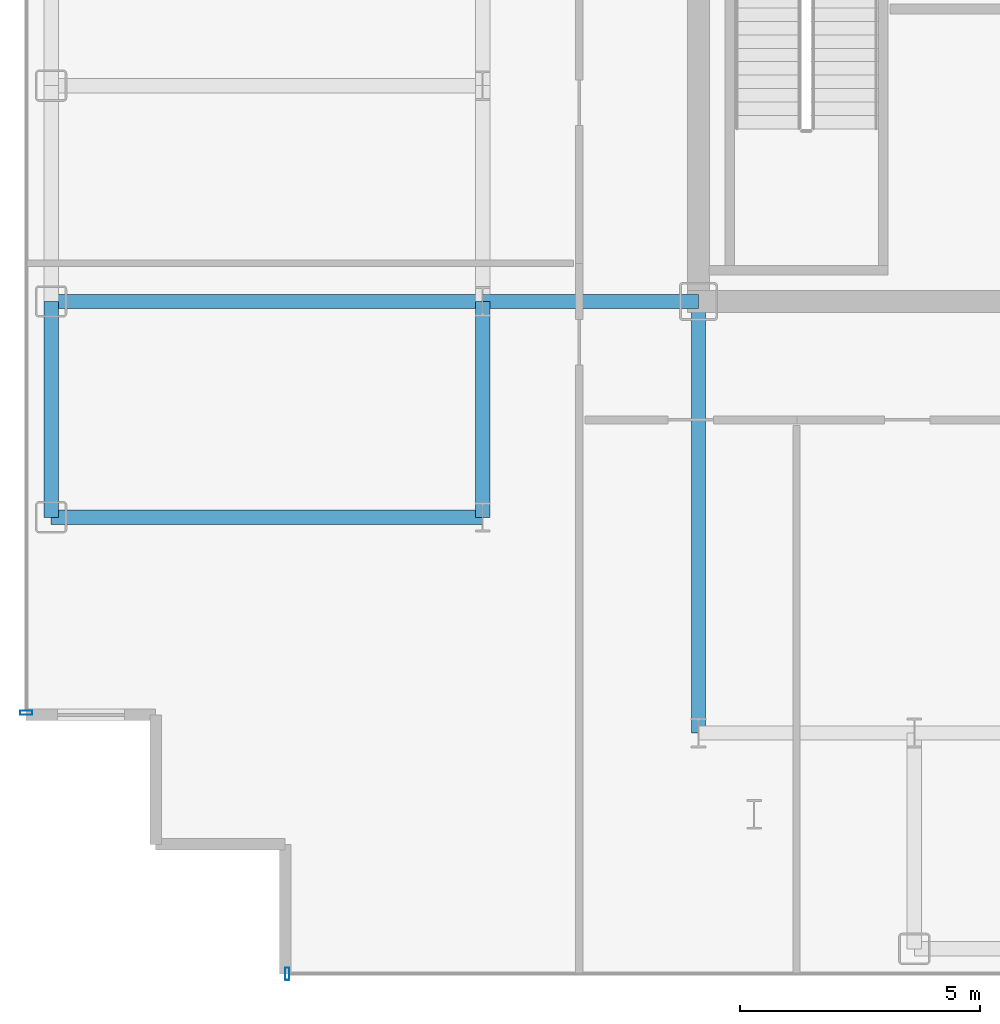
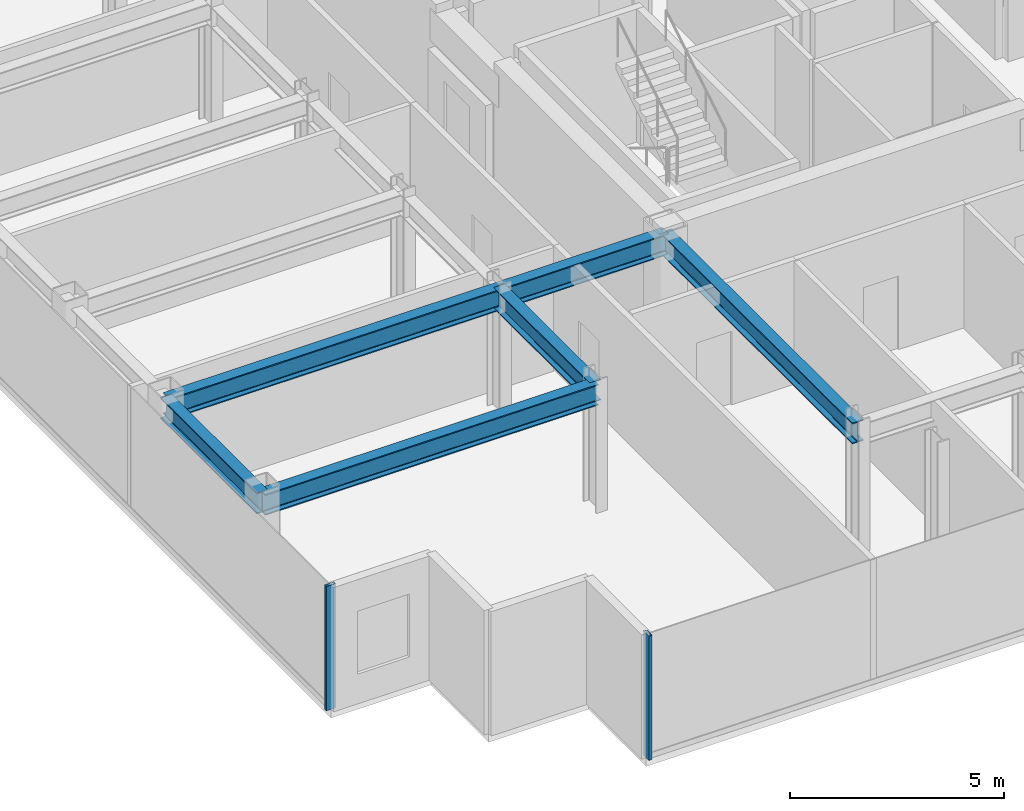
# One storey, part 2 of 18: 6 beams, 2 members, 2 elements without a shape of their own.
"""IFC4 building model written with IfcOpenShell, lengths in metres."""

from ifc_helpers import new_model, si_unit, direction, frame, origin, origin_2d, place, context, subcontext, project, spatial, hollow_rectangle, i_section, extrude, source, transform, mapped, material, layer, layer_set, material_profile, profile_set, type_object, element, aggregate, save


model = new_model("IFC4")

# Units and contexts
model_context = context("Model", 3, precision=1e-05, world=origin(), true_north=direction((0.0, 1.0)))
body_context = subcontext(model_context, "Body", "Model", "MODEL_VIEW")
ifc_project = project(units=[si_unit("LENGTHUNIT", "METRE"), si_unit("AREAUNIT", "SQUARE_METRE"), si_unit("VOLUMEUNIT", "CUBIC_METRE"), si_unit("PLANEANGLEUNIT", "RADIAN"), si_unit("MASSUNIT", "GRAM", prefix="KILO")], contexts=[model_context])

# Site, building, storey
site_placement = place(None, origin())
site = spatial("IfcSite", under=ifc_project, at=site_placement, CompositionType="ELEMENT")
building_placement = place(site_placement, origin())
building = spatial("IfcBuilding", under=site, at=building_placement, Name="Nefas-Gora Pilgrimage Tower", CompositionType="ELEMENT")
storey_placement = place(building_placement, frame((0.0, 0.0, 268.39990234375)))
storey = spatial("IfcBuildingStorey", under=building, at=storey_placement, Name="L67", CompositionType="ELEMENT", Elevation=268.39990234375)

# Beams
ifc_material_1 = material(Name="Steel S355", Category="steel")
ifc_material_profile_1 = material_profile(ifc_material_1, i_section(OverallWidth=0.300048828125, OverallDepth=0.60009765625, WebThickness=0.015380859375, FlangeThickness=0.030029296875, FilletRadius=0.027099609375, at=origin_2d()), Name="HEB 600")
ifc_profile_set_1 = profile_set([ifc_material_profile_1], Name="Steel S355")
beam_type_1 = type_object("IfcBeamType", Name="BM-SPN-HEB450", PredefinedType="SPANDREL", material=ifc_profile_set_1)
shared_shape_1 = source(origin(), body_context, "Body", "SweptSolid", [
    extrude(i_section(OverallWidth=0.300048828125, OverallDepth=0.60009765625, WebThickness=0.015380859375, FlangeThickness=0.030029296875, FilletRadius=0.027099609375, at=origin_2d()), origin(), (0.0, 0.0, 1.0), 4.5),
])
beam_placement = place(storey_placement, frame((-24.75, -13.5, 3.25), z_axis=(0.0, 1.0, 0.0), x_axis=(-1.0, 0.0, 0.0)))
element("IfcBeam", 1, at=beam_placement, inside=storey, type_object=beam_type_1, Name="L67 SP-03 beam", PredefinedType="SPANDREL", context=body_context, shape_type="MappedRepresentation", body=[
    mapped(shared_shape_1, transform((0.0, 0.0, 0.0), x_axis=(1.0, 0.0, 0.0), y_axis=(0.0, 1.0, 0.0), z_axis=(0.0, 0.0, 1.0), scale=1.0)),
])
ifc_material_profile_2 = material_profile(ifc_material_1, i_section(OverallWidth=0.300048828125, OverallDepth=0.60009765625, WebThickness=0.015380859375, FlangeThickness=0.030029296875, FilletRadius=0.027099609375, at=origin_2d()), Name="HEB 600")
ifc_profile_set_2 = profile_set([ifc_material_profile_2], Name="Steel S355")
beam_type_2 = type_object("IfcBeamType", Name="BM-GIR-HEB600", PredefinedType="BEAM", material=ifc_profile_set_2)
shared_shape_2 = source(origin(), body_context, "Body", "SweptSolid", [
    extrude(i_section(OverallWidth=0.300048828125, OverallDepth=0.60009765625, WebThickness=0.015380859375, FlangeThickness=0.030029296875, FilletRadius=0.027099609375, at=origin_2d()), origin(), (0.0, 0.0, 1.0), 9.0),
])
for number, where, z_axis, x_axis, name in (
    (2, (-24.75, -13.5, 3.25), (1.0, 0.0, 0.0), (0.0, 1.0, 0.0), "L67 G-04 beam"),
    (3, (-24.75, -9.0, 3.25), (1.0, 0.0, 0.0), (0.0, 1.0, 0.0), "L67 G-04 beam"),
    (4, (-11.25, -18.0, 3.25), (0.0, 1.0, 0.0), (-1.0, 0.0, 0.0), "L67 G-04 beam"),
):
    element("IfcBeam", number, at=place(storey_placement, frame(where, z_axis=z_axis, x_axis=x_axis)), inside=storey, type_object=beam_type_2, Name=name, PredefinedType="BEAM", context=body_context, shape_type="MappedRepresentation", body=[
        mapped(shared_shape_2, transform((0.0, 0.0, 0.0), x_axis=(1.0, 0.0, 0.0), y_axis=(0.0, 1.0, 0.0), z_axis=(0.0, 0.0, 1.0), scale=1.0)),
    ])
shared_shape_3 = source(origin(), body_context, "Body", "SweptSolid", [
    extrude(i_section(OverallWidth=0.300048828125, OverallDepth=0.60009765625, WebThickness=0.015380859375, FlangeThickness=0.030029296875, FilletRadius=0.027099609375, at=origin_2d()), origin(), (0.0, 0.0, 1.0), 4.5),
])
for number, where, z_axis, x_axis, name in (
    (5, (-15.75, -13.5, 3.25), (0.0, 1.0, 0.0), (-1.0, 0.0, 0.0), "L67 G-04 beam"),
    (6, (-15.75, -9.0, 3.25), (1.0, 0.0, 0.0), (0.0, 1.0, 0.0), "L67 G-04 beam"),
):
    element("IfcBeam", number, at=place(storey_placement, frame(where, z_axis=z_axis, x_axis=x_axis)), inside=storey, type_object=beam_type_2, Name=name, PredefinedType="BEAM", context=body_context, shape_type="MappedRepresentation", body=[
        mapped(shared_shape_3, transform((0.0, 0.0, 0.0), x_axis=(1.0, 0.0, 0.0), y_axis=(0.0, 1.0, 0.0), z_axis=(0.0, 0.0, 1.0), scale=1.0)),
    ])

# Curtain wall, member
ifc_material_2 = material(Name="Dark ceramic-fritted solar-control aluminium-glass curtain wall", Category="aluminium")
ifc_layer = layer(ifc_material_2, 0.219970703125)
ifc_layer_set = layer_set([ifc_layer], Name="Dark ceramic-fritted solar-control aluminium-glass curtain wall")
curtain_wall_type = type_object("IfcCurtainWallType", Name="CW-SYS-4", PredefinedType="NOTDEFINED", material=ifc_layer_set)
curtain_wall_1_placement = place(storey_placement, origin())
curtain_wall_1 = element("IfcCurtainWall", 7, at=curtain_wall_1_placement, inside=storey, type_object=curtain_wall_type, Name="L67 Unitised Curtain Wall CW4", PredefinedType="NOTDEFINED")
ifc_material_3 = material(Name="Anodised architectural aluminium", Category="aluminium")
ifc_material_profile_3 = material_profile(ifc_material_3, hollow_rectangle(XDim=0.090087890625, YDim=0.260009765625, WallThickness=0.006103515625, InnerFilletRadius=0.006103515625, OuterFilletRadius=0.011962890625, at=origin_2d()), Name="ALU MULLION 90x260")
ifc_profile_set_3 = profile_set([ifc_material_profile_3], Name="Anodised architectural aluminium")
member_type = type_object("IfcMemberType", Name="CWM-MUL-4", PredefinedType="MULLION", material=ifc_profile_set_3)
shared_shape_4 = source(origin(), body_context, "Body", "SweptSolid", [
    extrude(hollow_rectangle(XDim=0.090087890625, YDim=0.260009765625, WallThickness=0.006103515625, InnerFilletRadius=0.006103515625, OuterFilletRadius=0.011962890625, at=origin_2d()), origin(), (0.0, 0.0, 1.0), 3.550048828125),
])
member_1_placement = place(storey_placement, frame((-25.27001953125, -17.574951171875, 0.0), z_axis=(0.0, 0.0, 1.0), x_axis=(0.0, -1.0, 0.0)))
member_1 = element("IfcMember", 8, at=member_1_placement, type_object=member_type, Name="CW4 Mullion 3", PredefinedType="MULLION", context=body_context, shape_type="MappedRepresentation", body=[
    mapped(shared_shape_4, transform((0.0, 0.0, 0.0), x_axis=(1.0, 0.0, 0.0), y_axis=(0.0, 1.0, 0.0), z_axis=(0.0, 0.0, 1.0), scale=1.0)),
])
aggregate(curtain_wall_1, [member_1])

curtain_wall_2_placement = place(storey_placement, origin())
curtain_wall_2 = element("IfcCurtainWall", 9, at=curtain_wall_2_placement, inside=storey, type_object=curtain_wall_type, Name="L67 Unitised Curtain Wall CW4", PredefinedType="NOTDEFINED")
member_2_placement = place(storey_placement, frame((-19.824951171875, -23.02001953125, 0.0), z_axis=(0.0, 0.0, 1.0), x_axis=(1.0, 0.0, 0.0)))
member_2 = element("IfcMember", 10, at=member_2_placement, type_object=member_type, Name="CW4 Mullion 1", PredefinedType="MULLION", context=body_context, shape_type="MappedRepresentation", body=[
    mapped(shared_shape_4, transform((0.0, 0.0, 0.0), x_axis=(1.0, 0.0, 0.0), y_axis=(0.0, 1.0, 0.0), z_axis=(0.0, 0.0, 1.0), scale=1.0)),
])
aggregate(curtain_wall_2, [member_2])

save(model, "model.ifc")
